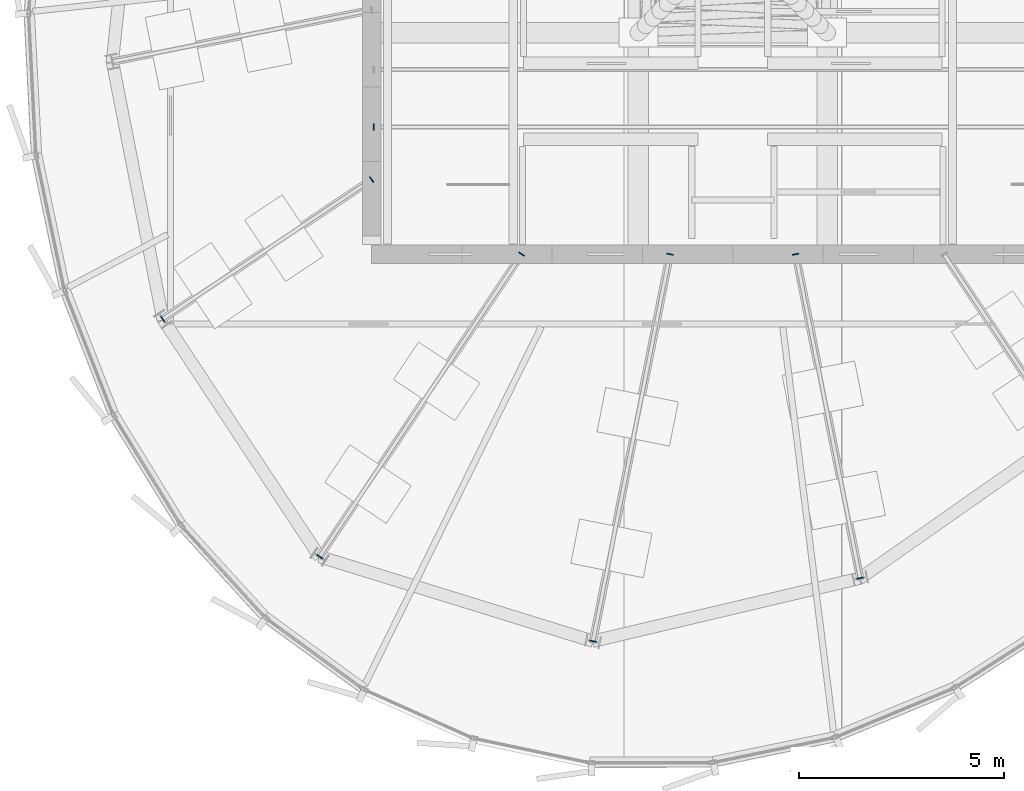
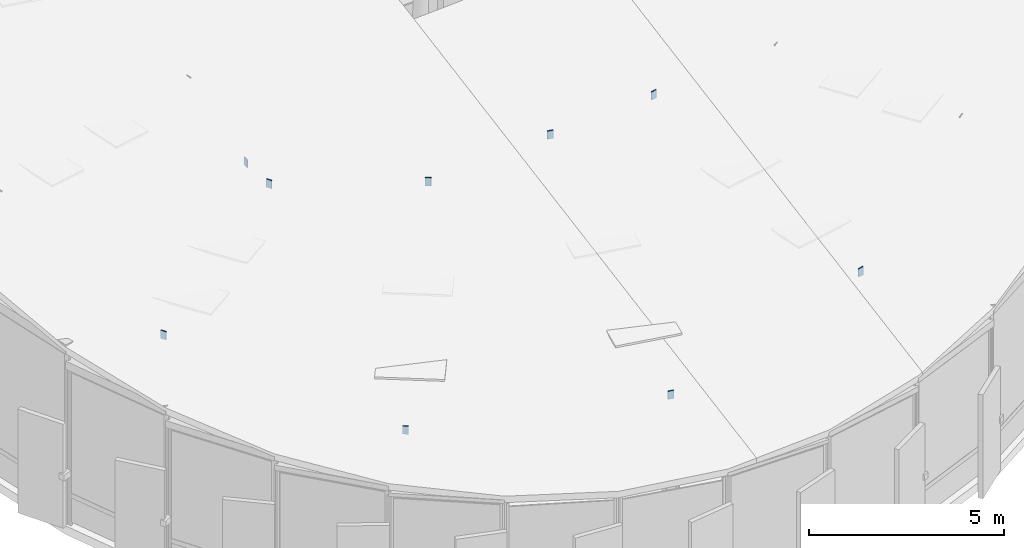
# One storey, part 26 of 36: 9 plates.
"""IFC4 building model written with IfcOpenShell, lengths in metres."""

from ifc_helpers import new_model, si_unit, direction, frame, origin, origin_2d, place, context, subcontext, project, spatial, rectangle, extrude, source, transform, mapped, material, layer, layer_set, type_object, element, save


model = new_model("IFC4")

# Units and contexts
model_context = context("Model", 3, precision=1e-05, world=origin(), true_north=direction((0.0, 1.0)))
body_context = subcontext(model_context, "Body", "Model", "MODEL_VIEW")
ifc_project = project(units=[si_unit("LENGTHUNIT", "METRE"), si_unit("AREAUNIT", "SQUARE_METRE"), si_unit("VOLUMEUNIT", "CUBIC_METRE"), si_unit("PLANEANGLEUNIT", "RADIAN"), si_unit("MASSUNIT", "GRAM", prefix="KILO"), si_unit("THERMODYNAMICTEMPERATUREUNIT", "KELVIN")], contexts=[model_context])

# Site, building, storey
site_placement = place(None, origin())
site = spatial("IfcSite", under=ifc_project, at=site_placement, CompositionType="ELEMENT")
building_placement = place(site_placement, origin())
building = spatial("IfcBuilding", under=site, at=building_placement, Name="Kethvar Cultural Tower", CompositionType="ELEMENT")
storey_placement = place(building_placement, frame((0.0, 0.0, 324.300048828125)))
storey = spatial("IfcBuildingStorey", under=building, at=storey_placement, Name="L86", CompositionType="ELEMENT", Elevation=324.300048828125)

# Plates
ifc_material = material(Name="Steel S355J2", Category="steel")
ifc_layer_1 = layer(ifc_material, 0.02490234375, Name="Steel S355J2", Category="steel")
ifc_layer_set_1 = layer_set([ifc_layer_1], Name="Steel S355J2 (25 mm)")
plate_type_1 = type_object("IfcPlateType", Name="PL-ENDCAP-PUR", PredefinedType="SHEET", material=ifc_layer_set_1)
shared_shape_1 = source(origin(), body_context, "Body", "SweptSolid", [
    extrude(rectangle(XDim=0.02490234375, YDim=0.159912109375, at=origin_2d()), origin(), (0.0, 0.0, 1.0), 0.260009765625),
])
plate_placement = place(storey_placement, frame((38.050048828125, 23.199951171875, 6.14013671875), z_axis=(0.0, 0.0, 1.0), x_axis=(1.0, 0.0, 0.0)))
element("IfcPlate", 1, at=plate_placement, inside=storey, type_object=plate_type_1, Name="Crown Purlin End Cap PR-07-W", PredefinedType="SHEET", context=body_context, shape_type="MappedRepresentation", body=[
    mapped(shared_shape_1, transform((0.0, 0.0, 0.0), scale=1.0)),
])
ifc_layer_2 = layer(ifc_material, 0.02490234375, Name="Steel S355J2", Category="steel")
ifc_layer_set_2 = layer_set([ifc_layer_2], Name="Steel S355J2 (25 mm)")
plate_type_2 = type_object("IfcPlateType", Name="PL-EXTCAP-PUR", PredefinedType="SHEET", material=ifc_layer_set_2)
shared_shape_2 = source(origin(), body_context, "Body", "SweptSolid", [
    extrude(rectangle(XDim=0.02490234375, YDim=0.159912109375, at=origin_2d()), origin(), (0.0, 0.0, 1.0), 0.260009765625),
])
for number, where, z_axis, x_axis, name in (
    (2, (38.0, 21.920166015625, 6.26220703125), (0.0, 0.0, 1.0), (-0.831469612303, -0.55557023302, 0.0), "Crown Glazing Bar End Cap GB-10-I"),
    (3, (32.912841796875, 18.52099609375, 5.37353515625), (0.0, 0.0, 1.0), (-0.831469612303, -0.55557023302, 0.0), "Crown Glazing Bar End Cap GB-10-O"),
    (4, (41.655029296875, 20.10009765625, 6.15087890625), (0.0, 0.0, 1.0), (-0.55557023302, -0.831469612303, 0.0), "Crown Glazing Bar End Cap GB-11-I"),
    (5, (36.731201171875, 12.73095703125, 4.5732421875), (0.0, 0.0, 1.0), (-0.55557023302, -0.831469612303, 0.0), "Crown Glazing Bar End Cap GB-11-O"),
    (6, (45.268310546875, 20.10009765625, 6.357421875), (0.0, 0.0, 1.0), (-0.195090322016, -0.980785280403, 0.0), "Crown Glazing Bar End Cap GB-12-I"),
    (7, (43.392822265625, 10.67138671875, 4.59130859375), (0.0, 0.0, 1.0), (-0.195090322016, -0.980785280403, 0.0), "Crown Glazing Bar End Cap GB-12-O"),
    (8, (48.33154296875, 20.10009765625, 6.53271484375), (0.0, 0.0, 1.0), (0.195090322016, -0.980785280403, 0.0), "Crown Glazing Bar End Cap GB-13-I"),
    (9, (49.901611328125, 12.206787109375, 5.23388671875), (0.0, 0.0, 1.0), (0.195090322016, -0.980785280403, 0.0), "Crown Glazing Bar End Cap GB-13-O"),
):
    element("IfcPlate", number, at=place(storey_placement, frame(where, z_axis=z_axis, x_axis=x_axis)), inside=storey, type_object=plate_type_2, Name=name, PredefinedType="SHEET", context=body_context, shape_type="MappedRepresentation", body=[
        mapped(shared_shape_2, transform((0.0, 0.0, 0.0), scale=1.0)),
    ])

save(model, "model.ifc")
